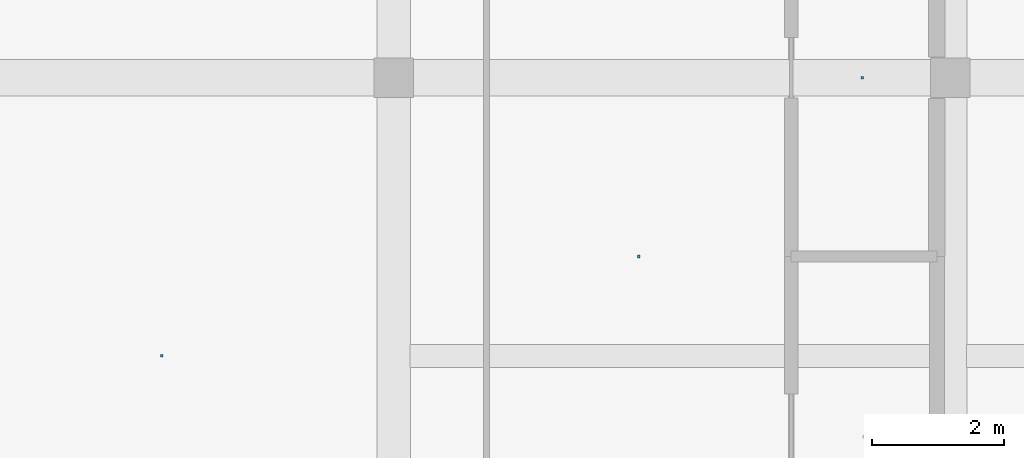
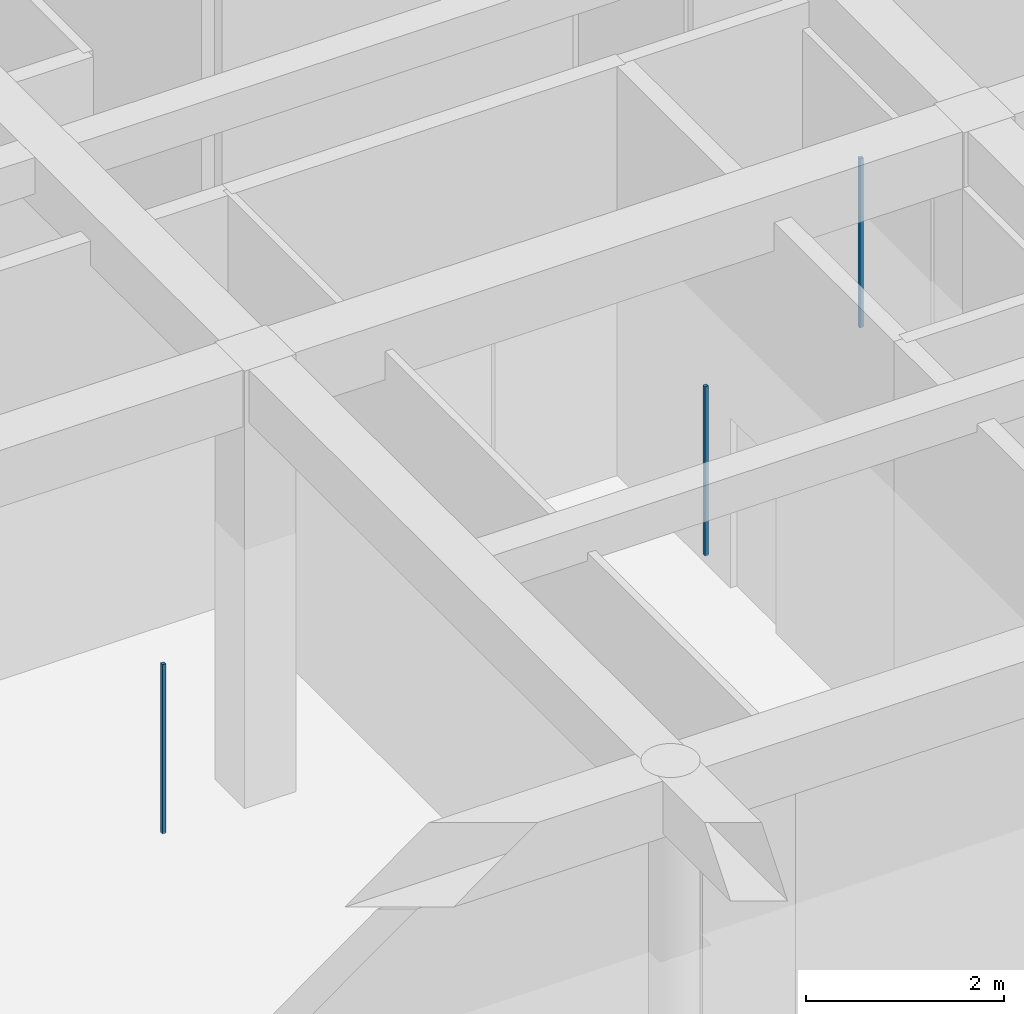
# One storey, part 120 of 157: 3 discrete accessories.
"""IFC4 building model written with IfcOpenShell, lengths in metres."""

from ifc_helpers import new_model, si_unit, direction, frame, origin, origin_2d, place, context, subcontext, project, spatial, rectangle, extrude, material, type_object, element, save


model = new_model("IFC4")

# Units and contexts
model_context = context("Model", 3, precision=1e-05, world=origin(), true_north=direction((0.0, 1.0)))
body_context = subcontext(model_context, "Body", "Model", "MODEL_VIEW")
ifc_project = project(units=[si_unit("LENGTHUNIT", "METRE"), si_unit("AREAUNIT", "SQUARE_METRE"), si_unit("VOLUMEUNIT", "CUBIC_METRE"), si_unit("PLANEANGLEUNIT", "RADIAN"), si_unit("MASSUNIT", "GRAM", prefix="KILO")], contexts=[model_context])

# Site, building, storey
site_placement = place(None, origin())
site = spatial("IfcSite", under=ifc_project, at=site_placement, CompositionType="ELEMENT")
building_placement = place(site_placement, origin())
building = spatial("IfcBuilding", under=site, at=building_placement, Name="Varncliffe General Hospital", CompositionType="ELEMENT")
storey_placement = place(building_placement, frame((0.0, 0.0, 5.39990234375)))
storey = spatial("IfcBuildingStorey", under=building, at=storey_placement, Name="L01", CompositionType="ELEMENT", Elevation=5.39990234375)

# Discrete accessories
ifc_material = material(Name="Powder-coated hospital steel guardrail and handrail", Category="steel")
discrete_accessory_type = type_object("IfcDiscreteAccessoryType", Name="Suspended Ceiling Hanger Bracket CH01", PredefinedType="BRACKET", material=ifc_material)
for number, where, z_axis, x_axis, name in (
    (1, (63.699951171875, 78.60009765625, 3.18994140625), (0.0, 0.0, 1.0), (1.0, 0.0, 0.0), "L01 Suspended Ceiling Hanger 162"),
    (2, (70.89990234375, 80.10009765625, 3.18994140625), (0.0, 0.0, 1.0), (1.0, 0.0, 0.0), "L01 Suspended Ceiling Hanger 163"),
    (3, (74.27001953125, 82.800048828125, 3.18994140625), (0.0, 0.0, 1.0), (1.0, 0.0, 0.0), "L01 Suspended Ceiling Hanger 164"),
):
    element("IfcDiscreteAccessory", number, at=place(storey_placement, frame(where, z_axis=z_axis, x_axis=x_axis)), inside=storey, type_object=discrete_accessory_type, Name=name, PredefinedType="BRACKET", context=body_context, shape_type="SweptSolid", body=[
        extrude(rectangle(XDim=0.0400390625, YDim=0.0400390625, at=origin_2d()), origin(), (0.0, 0.0, 1.0), 2.090087890625),
    ])

save(model, "model.ifc")
